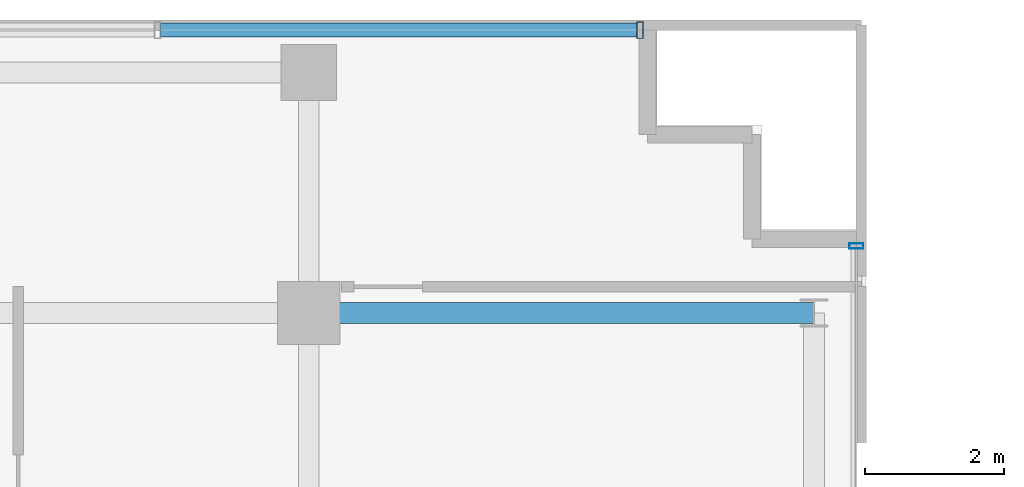
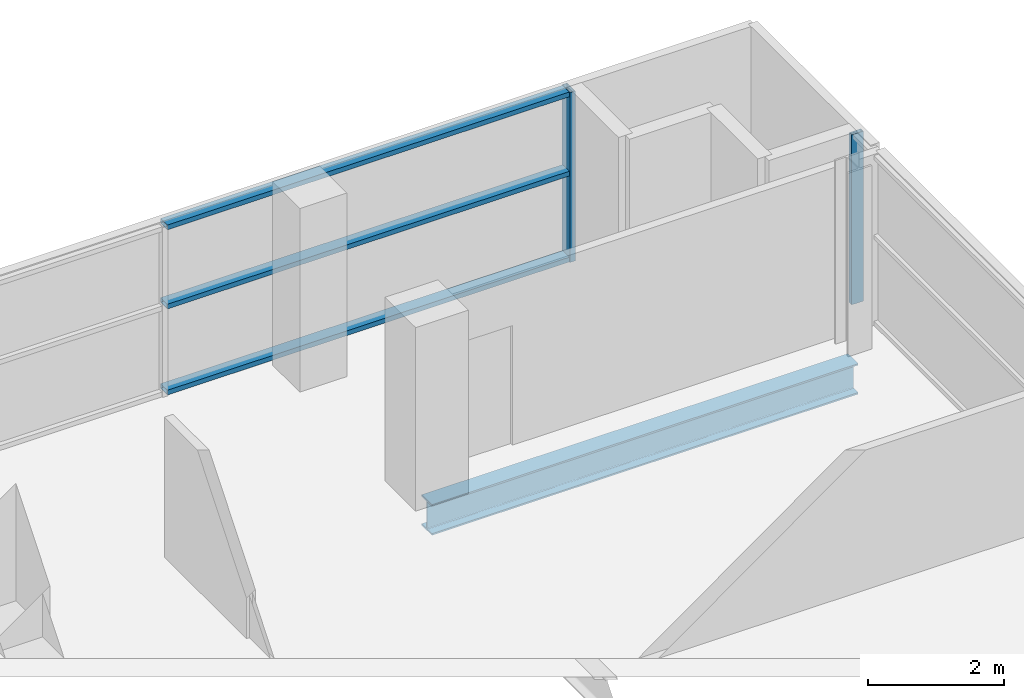
# One storey, part 15 of 24: 5 members, 1 beam, 2 elements without a shape of their own.
"""IFC4 building model written with IfcOpenShell, lengths in metres."""

from ifc_helpers import new_model, si_unit, direction, frame, origin, origin_2d, place, context, subcontext, project, spatial, hollow_rectangle, i_section, extrude, source, transform, mapped, material, layer, layer_set, material_profile, profile_set, type_object, element, aggregate, save


model = new_model("IFC4")

# Units and contexts
model_context = context("Model", 3, precision=1e-05, world=origin(), true_north=direction((0.0, 1.0)))
body_context = subcontext(model_context, "Body", "Model", "MODEL_VIEW")
ifc_project = project(units=[si_unit("LENGTHUNIT", "METRE"), si_unit("AREAUNIT", "SQUARE_METRE"), si_unit("VOLUMEUNIT", "CUBIC_METRE"), si_unit("PLANEANGLEUNIT", "RADIAN"), si_unit("MASSUNIT", "GRAM", prefix="KILO")], contexts=[model_context])

# Site, building, storey
site_placement = place(None, origin())
site = spatial("IfcSite", under=ifc_project, at=site_placement, CompositionType="ELEMENT")
building_placement = place(site_placement, origin())
building = spatial("IfcBuilding", under=site, at=building_placement, Name="Zarnakvel Exchange Tower", CompositionType="ELEMENT")
storey_placement = place(building_placement, frame((0.0, 0.0, 133.0)))
storey = spatial("IfcBuildingStorey", under=building, at=storey_placement, Name="L37", CompositionType="ELEMENT", Elevation=133.0)

# Beam
ifc_material_1 = material(Name="Steel S355", Category="steel")
ifc_material_profile_1 = material_profile(ifc_material_1, i_section(OverallWidth=0.300048828125, OverallDepth=0.550048828125, WebThickness=0.014892578125, FlangeThickness=0.029052734375, FilletRadius=0.027099609375, at=origin_2d()))
ifc_profile_set_1 = profile_set([ifc_material_profile_1], Name="Steel S355")
beam_type = type_object("IfcBeamType", Name="G-05", PredefinedType="BEAM", material=ifc_profile_set_1)
beam_placement = place(storey_placement, frame((21.60009765625, 13.5, -0.5), z_axis=(1.0, 0.0, 0.0), x_axis=(0.0, 1.0, 0.0)))
element("IfcBeam", 1, at=beam_placement, inside=storey, type_object=beam_type, Name="L37 Tower E-W Frame Beam", PredefinedType="BEAM", context=body_context, shape_type="SweptSolid", body=[
    extrude(i_section(OverallWidth=0.300048828125, OverallDepth=0.550048828125, WebThickness=0.014892578125, FlangeThickness=0.029052734375, FilletRadius=0.027099609375, at=origin_2d()), origin(), (0.0, 0.0, 1.0), 7.25),
])

# Curtain wall, member
ifc_material_2 = material(Name="Architectural Bronze Anodised Aluminium", Category="aluminium")
ifc_layer_1 = layer(ifc_material_2, 0.239990234375)
ifc_layer_set_1 = layer_set([ifc_layer_1], Name="Architectural Bronze Anodised Aluminium")
curtain_wall_type_1 = type_object("IfcCurtainWallType", Name="CW-02", PredefinedType="NOTDEFINED", material=ifc_layer_set_1)
curtain_wall_1_placement = place(storey_placement, origin())
curtain_wall_1 = element("IfcCurtainWall", 2, at=curtain_wall_1_placement, inside=storey, type_object=curtain_wall_type_1, Name="L37 Curtain Wall CW-L37-N1 (CW-02)", PredefinedType="NOTDEFINED")
ifc_material_profile_2 = material_profile(ifc_material_2, hollow_rectangle(XDim=0.239990234375, YDim=0.090087890625, WallThickness=0.006103515625, at=origin_2d()))
ifc_profile_set_2 = profile_set([ifc_material_profile_2], Name="Architectural Bronze Anodised Aluminium")
member_type_1 = type_object("IfcMemberType", Name="CWM-02", PredefinedType="MULLION", material=ifc_profile_set_2)
shared_shape_1 = source(origin(), body_context, "Body", "SweptSolid", [
    extrude(hollow_rectangle(XDim=0.239990234375, YDim=0.090087890625, WallThickness=0.006103515625, at=origin_2d()), origin(), (0.0, 0.0, 1.0), 3.054931640625),
])
member_1_placement = place(storey_placement, frame((26.35498046875, 17.56005859375, 0.0), z_axis=(0.0, 0.0, 1.0), x_axis=(0.0, 1.0, 0.0)))
member_1 = element("IfcMember", 3, at=member_1_placement, type_object=member_type_1, Name="CW-02 mullion 8", PredefinedType="MULLION", context=body_context, shape_type="MappedRepresentation", body=[
    mapped(shared_shape_1, transform((0.0, 0.0, 0.0), x_axis=(1.0, 0.0, 0.0), y_axis=(0.0, 1.0, 0.0), z_axis=(0.0, 0.0, 1.0), scale=1.0)),
])

ifc_layer_2 = layer(ifc_material_2, 0.199951171875)
ifc_layer_set_2 = layer_set([ifc_layer_2], Name="Architectural Bronze Anodised Aluminium")
curtain_wall_type_2 = type_object("IfcCurtainWallType", Name="CW-04", PredefinedType="NOTDEFINED", material=ifc_layer_set_2)
curtain_wall_2_placement = place(storey_placement, origin())
curtain_wall_2 = element("IfcCurtainWall", 4, at=curtain_wall_2_placement, inside=storey, type_object=curtain_wall_type_2, Name="L37 Curtain Wall CW-L37-EN (CW-04)", PredefinedType="NOTDEFINED")
ifc_material_profile_3 = material_profile(ifc_material_2, hollow_rectangle(XDim=0.199951171875, YDim=0.074951171875, WallThickness=0.0048828125, at=origin_2d()))
ifc_profile_set_3 = profile_set([ifc_material_profile_3], Name="Architectural Bronze Anodised Aluminium")
member_type_2 = type_object("IfcMemberType", Name="CWM-04", PredefinedType="MULLION", material=ifc_profile_set_3)
shared_shape_2 = source(origin(), body_context, "Body", "SweptSolid", [
    extrude(hollow_rectangle(XDim=0.199951171875, YDim=0.074951171875, WallThickness=0.0048828125, at=origin_2d()), origin(), (0.0, 0.0, 1.0), 3.054931640625),
])
member_2_placement = place(storey_placement, frame((29.4599609375, 14.46240234375, 0.0), z_axis=(0.0, 0.0, 1.0), x_axis=(-1.0, 0.0, 0.0)))
member_2 = element("IfcMember", 5, at=member_2_placement, type_object=member_type_2, Name="CW-04 mullion 3", PredefinedType="MULLION", context=body_context, shape_type="MappedRepresentation", body=[
    mapped(shared_shape_2, transform((0.0, 0.0, 0.0), x_axis=(1.0, 0.0, 0.0), y_axis=(0.0, 1.0, 0.0), z_axis=(0.0, 0.0, 1.0), scale=1.0)),
])
aggregate(curtain_wall_2, [member_2])

# Member
ifc_material_profile_4 = material_profile(ifc_material_2, hollow_rectangle(XDim=0.199951171875, YDim=0.0849609375, WallThickness=0.0048828125, at=origin_2d()))
ifc_profile_set_4 = profile_set([ifc_material_profile_4], Name="Architectural Bronze Anodised Aluminium")
member_type_3 = type_object("IfcMemberType", Name="CWT-02", PredefinedType="USERDEFINED", material=ifc_profile_set_4)
shared_shape_3 = source(origin(), body_context, "Body", "SweptSolid", [
    extrude(hollow_rectangle(XDim=0.199951171875, YDim=0.0849609375, WallThickness=0.0048828125, at=origin_2d()), origin(), (0.0, 0.0, 1.0), 6.83642578125),
])
member_3_placement = place(storey_placement, frame((19.4736328125, 17.56005859375, 0.04248046875), z_axis=(1.0, 0.0, 0.0), x_axis=(0.0, 1.0, 0.0)))
member_3 = element("IfcMember", 6, at=member_3_placement, type_object=member_type_3, Name="CW-02 transom 7.1", ObjectType="TRANSOM", PredefinedType="USERDEFINED", context=body_context, shape_type="MappedRepresentation", body=[
    mapped(shared_shape_3, transform((0.0, 0.0, 0.0), x_axis=(1.0, 0.0, 0.0), y_axis=(0.0, 1.0, 0.0), z_axis=(0.0, 0.0, 1.0), scale=1.0)),
])

member_4_placement = place(storey_placement, frame((19.4736328125, 17.56005859375, 1.588623046875), z_axis=(1.0, 0.0, 0.0), x_axis=(0.0, 1.0, 0.0)))
member_4 = element("IfcMember", 7, at=member_4_placement, type_object=member_type_3, Name="CW-02 transom 7.2", ObjectType="TRANSOM", PredefinedType="USERDEFINED", context=body_context, shape_type="MappedRepresentation", body=[
    mapped(shared_shape_3, transform((0.0, 0.0, 0.0), x_axis=(1.0, 0.0, 0.0), y_axis=(0.0, 1.0, 0.0), z_axis=(0.0, 0.0, 1.0), scale=1.0)),
])

member_5_placement = place(storey_placement, frame((19.4736328125, 17.56005859375, 3.012451171875), z_axis=(1.0, 0.0, 0.0), x_axis=(0.0, 1.0, 0.0)))
member_5 = element("IfcMember", 8, at=member_5_placement, type_object=member_type_3, Name="CW-02 transom 7.3", ObjectType="TRANSOM", PredefinedType="USERDEFINED", context=body_context, shape_type="MappedRepresentation", body=[
    mapped(shared_shape_3, transform((0.0, 0.0, 0.0), x_axis=(1.0, 0.0, 0.0), y_axis=(0.0, 1.0, 0.0), z_axis=(0.0, 0.0, 1.0), scale=1.0)),
])

aggregate(curtain_wall_1, [member_1, member_3, member_4, member_5])

save(model, "model.ifc")
